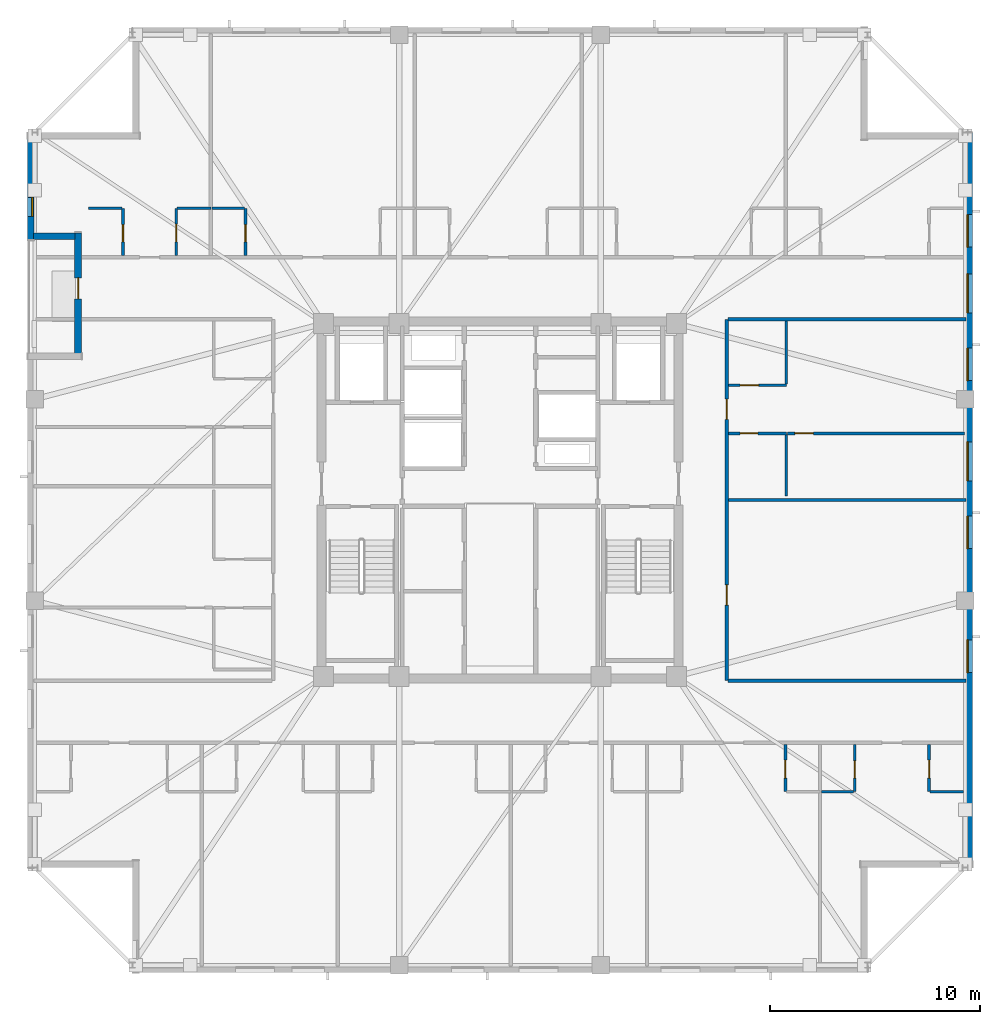
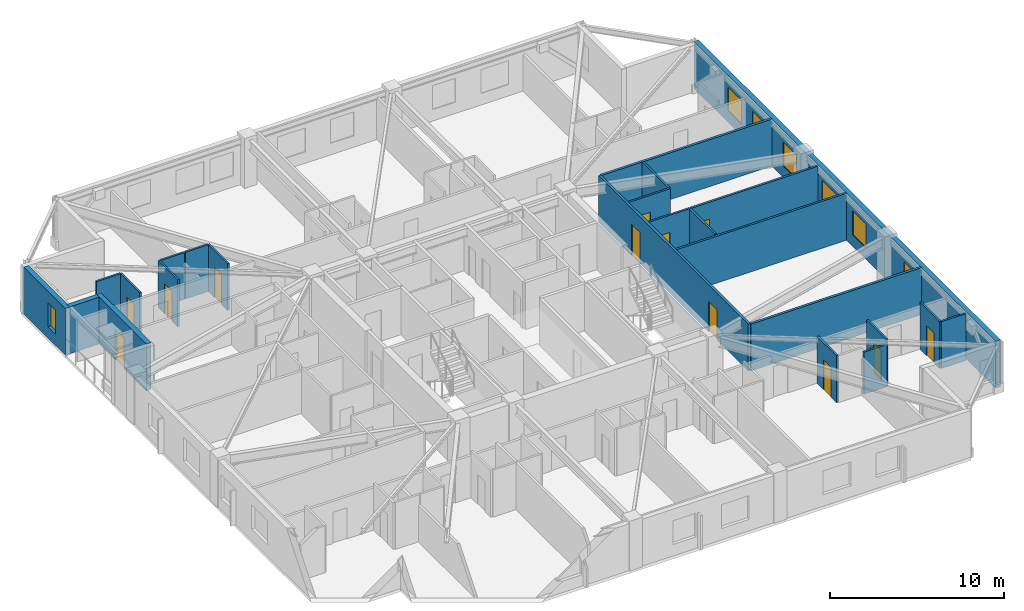
# One storey, part 10 of 17: 24 walls, 12 doors, 7 windows, 19 openings.
"""IFC4 building model written with IfcOpenShell, lengths in metres."""

from ifc_helpers import new_model, si_unit, direction, frame, frame_2d, origin, place, context, subcontext, project, spatial, rectangle, extrude, material, layer, layer_set, type_object, element, fill, save


model = new_model("IFC4")

# Units and contexts
model_context = context("Model", 3, precision=1e-05, world=origin(), true_north=direction((0.0, 1.0)))
body_context = subcontext(model_context, "Body", "Model", "MODEL_VIEW")
ifc_project = project(units=[si_unit("LENGTHUNIT", "METRE"), si_unit("AREAUNIT", "SQUARE_METRE"), si_unit("VOLUMEUNIT", "CUBIC_METRE"), si_unit("PLANEANGLEUNIT", "RADIAN"), si_unit("MASSUNIT", "GRAM", prefix="KILO")], contexts=[model_context])

# Site, building, storey
site_placement = place(None, origin())
site = spatial("IfcSite", under=ifc_project, at=site_placement, CompositionType="ELEMENT")
building_placement = place(site_placement, origin())
building = spatial("IfcBuilding", under=site, at=building_placement, Name="Cairnveth Concourse Tower", CompositionType="ELEMENT")
storey_placement = place(building_placement, frame((0.0, 0.0, 234.0)))
storey = spatial("IfcBuildingStorey", under=building, at=storey_placement, Name="L64", CompositionType="ELEMENT", Elevation=234.0)

# Wall, openings, doors
ifc_material_1 = material(Name="Gypsum Plasterboard Partition", Category="gypsum")
ifc_layer_1 = layer(ifc_material_1, 0.159912109375)
ifc_layer_set_1 = layer_set([ifc_layer_1], Name="Gypsum Plasterboard Partition")
wall_type_1 = type_object("IfcWallType", Name="ACOUSTIC PARTY WALL 180", PredefinedType="PARTITIONING", material=ifc_layer_set_1)
wall_1_placement = place(storey_placement, frame((62.800048828125, 30.39990234375, 0.0), z_axis=(0.0, 0.0, 1.0), x_axis=(0.0, 1.0, 0.0)))
wall_1 = element("IfcWall", 1, at=wall_1_placement, inside=storey, type_object=wall_type_1, Name="Interior Wall IW-L64-038", PredefinedType="PARTITIONING", context=body_context, shape_type="SweptSolid", body=[
    extrude(rectangle(XDim=17.2001953125, YDim=0.159912109375, at=frame_2d((8.60009765625, 0.0))), origin(), (0.0, 0.0, 1.0), 3.2900390625),
])
opening_1_placement = place(wall_1_placement, frame((3.60009765625, 0.0, 0.0)))
opening_1 = element("IfcOpeningElement", 2, at=opening_1_placement, cuts=wall_1, Name="Opening ID11", PredefinedType="OPENING", context=body_context, shape_type="SweptSolid", body=[
    extrude(rectangle(XDim=0.9599609375, YDim=2.1201171875, at=frame_2d((0.47998046875, 1.06005859375))), frame((0.0, 0.08984375, 0.0), z_axis=(0.0, -1.0, 0.0), x_axis=(1.0, 0.0, 0.0)), (0.0, 0.0, 1.0), 0.179931640625),
])
opening_2_placement = place(wall_1_placement, frame((12.43994140625, 0.0, 0.0)))
opening_2 = element("IfcOpeningElement", 3, at=opening_2_placement, cuts=wall_1, Name="Opening ID10", PredefinedType="OPENING", context=body_context, shape_type="SweptSolid", body=[
    extrude(rectangle(XDim=0.9599609375, YDim=2.179931640625, at=frame_2d((0.47998046875, 1.08984375))), frame((0.0, 0.08984375, 0.0), z_axis=(0.0, -1.0, 0.0), x_axis=(1.0, 0.0, 0.0)), (0.0, 0.0, 1.0), 0.179931640625),
])
ifc_material_2 = material(Name="Solid Core Hardwood Timber Leaf", Category="wood")
door_type_1 = type_object("IfcDoorType", Name="FLAT ENTRANCE DOOR 960X2150", OperationType="NOTDEFINED", PredefinedType="DOOR", material=ifc_material_2)
door_1_placement = place(opening_2_placement, origin())
door_1 = element("IfcDoor", 4, at=door_1_placement, inside=storey, type_object=door_type_1, Name="Apartment L64E1 Entrance Door", OperationType="SINGLE_SWING_LEFT", OverallHeight=2.179931640625, OverallWidth=0.9599609375, PredefinedType="DOOR", context=body_context, shape_type="SweptSolid", body=[
    extrude(rectangle(XDim=0.9599609375, YDim=2.179931640625, at=frame_2d((0.47998046875, 1.08984375))), frame((0.0, 0.02490234375, 0.0), z_axis=(0.0, -1.0, 0.0), x_axis=(1.0, 0.0, 0.0)), (0.0, 0.0, 1.0), 0.050048828125),
])
fill(opening_2, door_1)
door_type_2 = type_object("IfcDoorType", Name="INTERIOR SINGLE DOOR 960X2150", OperationType="NOTDEFINED", PredefinedType="DOOR", material=ifc_material_2)
door_2_placement = place(opening_1_placement, origin())
door_2 = element("IfcDoor", 5, at=door_2_placement, inside=storey, type_object=door_type_2, Name="Interior Door DR-L64-057", OperationType="SINGLE_SWING_LEFT", OverallHeight=2.1201171875, OverallWidth=0.9599609375, PredefinedType="DOOR", context=body_context, shape_type="SweptSolid", body=[
    extrude(rectangle(XDim=0.9599609375, YDim=2.1201171875, at=frame_2d((0.47998046875, 1.06005859375))), frame((0.0, 0.02490234375, 0.0), z_axis=(0.0, -1.0, 0.0), x_axis=(1.0, 0.0, 0.0)), (0.0, 0.0, 1.0), 0.050048828125),
])
fill(opening_1, door_2)

# Walls
for number, where, z_axis, x_axis, name in (
    (6, (62.864990234375, 30.39990234375, 0.0), (0.0, 0.0, 1.0), (1.0, 0.0, 0.0), "Interior Wall IW-L64-041"),
    (7, (62.864990234375, 47.60009765625, 0.0), (0.0, 0.0, 1.0), (1.0, 0.0, 0.0), "Interior Wall IW-L64-042"),
):
    element("IfcWall", number, at=place(storey_placement, frame(where, z_axis=z_axis, x_axis=x_axis)), inside=storey, type_object=wall_type_1, Name=name, PredefinedType="PARTITIONING", context=body_context, shape_type="SweptSolid", body=[
        extrude(rectangle(XDim=11.330078125, YDim=0.159912109375, at=frame_2d((5.6650390625, 0.0))), origin(), (0.0, 0.0, 1.0), 3.2900390625),
    ])
ifc_layer_2 = layer(ifc_material_1, 0.139892578125)
ifc_layer_set_2 = layer_set([ifc_layer_2], Name="Gypsum Plasterboard Partition")
wall_type_2 = type_object("IfcWallType", Name="GYPSUM STUD PARTITION 140", PredefinedType="PARTITIONING", material=ifc_layer_set_2)
wall_2_placement = place(storey_placement, frame((62.8798828125, 39.0, 0.0), z_axis=(0.0, 0.0, 1.0), x_axis=(1.0, 0.0, 0.0)))
element("IfcWall", 8, at=wall_2_placement, inside=storey, type_object=wall_type_2, Name="Interior Wall IW-L64-108", PredefinedType="PARTITIONING", context=body_context, shape_type="SweptSolid", body=[
    extrude(rectangle(XDim=11.315185546875, YDim=0.139892578125, at=frame_2d((5.65771484375, 0.0))), origin(), (0.0, 0.0, 1.0), 3.2900390625),
])

# Wall, opening, door
wall_3_placement = place(storey_placement, frame((65.679931640625, 42.169921875, 0.0), z_axis=(0.0, 0.0, 1.0), x_axis=(1.0, 0.0, 0.0)))
wall_3 = element("IfcWall", 9, at=wall_3_placement, inside=storey, type_object=wall_type_2, Name="Interior Wall IW-L64-113", PredefinedType="PARTITIONING", context=body_context, shape_type="SweptSolid", body=[
    extrude(rectangle(XDim=8.440185546875, YDim=0.139892578125, at=frame_2d((4.22021484375, 0.0))), origin(), (0.0, 0.0, 1.0), 3.2900390625),
])
opening_3_placement = place(wall_3_placement, frame((0.360107421875, 0.0, 0.0)))
opening_3 = element("IfcOpeningElement", 10, at=opening_3_placement, cuts=wall_3, Name="Opening ID18", PredefinedType="OPENING", context=body_context, shape_type="SweptSolid", body=[
    extrude(rectangle(XDim=0.8798828125, YDim=2.10009765625, at=frame_2d((0.43994140625, 1.050048828125))), frame((0.0, 0.079833984375, 0.0), z_axis=(0.0, -1.0, 0.0), x_axis=(1.0, 0.0, 0.0)), (0.0, 0.0, 1.0), 0.159912109375),
])
door_type_3 = type_object("IfcDoorType", Name="INTERIOR SINGLE DOOR 880X2100", OperationType="NOTDEFINED", PredefinedType="DOOR", material=ifc_material_2)
door_3_placement = place(opening_3_placement, origin())
door_3 = element("IfcDoor", 11, at=door_3_placement, inside=storey, type_object=door_type_3, Name="L64E1 Master Bedroom Door", OperationType="SINGLE_SWING_RIGHT", OverallHeight=2.10009765625, OverallWidth=0.8798828125, PredefinedType="DOOR", context=body_context, shape_type="SweptSolid", body=[
    extrude(rectangle(XDim=0.8798828125, YDim=2.10009765625, at=frame_2d((0.43994140625, 1.050048828125))), frame((0.0, 0.02490234375, 0.0), z_axis=(0.0, -1.0, 0.0), x_axis=(1.0, 0.0, 0.0)), (0.0, 0.0, 1.0), 0.050048828125),
])
fill(opening_3, door_3)

ifc_layer_3 = layer(ifc_material_1, 0.1298828125)
ifc_layer_set_3 = layer_set([ifc_layer_3], Name="Gypsum Plasterboard Partition")
wall_type_3 = type_object("IfcWallType", Name="WET AREA PARTITION 140", PredefinedType="PLUMBINGWALL", material=ifc_layer_set_3)
wall_4_placement = place(storey_placement, frame((65.590087890625, 25.112548828125, 0.0), z_axis=(0.0, 0.0, 1.0), x_axis=(0.0, 1.0, 0.0)))
wall_4 = element("IfcWall", 12, at=wall_4_placement, inside=storey, type_object=wall_type_3, Name="Interior Wall IW-L64-065", PredefinedType="PLUMBINGWALL", context=body_context, shape_type="SweptSolid", body=[
    extrude(rectangle(XDim=2.25, YDim=0.1298828125, at=frame_2d((1.125, 0.0))), origin(), (0.0, 0.0, 1.0), 3.2900390625),
])
opening_4_placement = place(wall_4_placement, frame((0.64990234375, 0.0, 0.0)))
opening_4 = element("IfcOpeningElement", 13, at=opening_4_placement, cuts=wall_4, Name="Opening ID20", PredefinedType="OPENING", context=body_context, shape_type="SweptSolid", body=[
    extrude(rectangle(XDim=0.85009765625, YDim=2.10009765625, at=frame_2d((0.425048828125, 1.050048828125))), frame((0.0, 0.074951171875, 0.0), z_axis=(0.0, -1.0, 0.0), x_axis=(1.0, 0.0, 0.0)), (0.0, 0.0, 1.0), 0.14990234375),
])
door_type_4 = type_object("IfcDoorType", Name="INTERIOR SINGLE DOOR 850X2100", OperationType="NOTDEFINED", PredefinedType="DOOR", material=ifc_material_2)
door_4_placement = place(opening_4_placement, origin())
door_4 = element("IfcDoor", 14, at=door_4_placement, inside=storey, type_object=door_type_4, Name="L64STS5 Kitchen Door", OperationType="SINGLE_SWING_LEFT", OverallHeight=2.10009765625, OverallWidth=0.85009765625, PredefinedType="DOOR", context=body_context, shape_type="SweptSolid", body=[
    extrude(rectangle(XDim=0.85009765625, YDim=2.10009765625, at=frame_2d((0.425048828125, 1.050048828125))), frame((0.0, 0.02490234375, 0.0), z_axis=(0.0, -1.0, 0.0), x_axis=(1.0, 0.0, 0.0)), (0.0, 0.0, 1.0), 0.050048828125),
])
fill(opening_4, door_4)

wall_5_placement = place(storey_placement, frame((68.889892578125, 25.112548828125, 0.0), z_axis=(0.0, 0.0, 1.0), x_axis=(0.0, 1.0, 0.0)))
wall_5 = element("IfcWall", 15, at=wall_5_placement, inside=storey, type_object=wall_type_3, Name="Interior Wall IW-L64-068", PredefinedType="PLUMBINGWALL", context=body_context, shape_type="SweptSolid", body=[
    extrude(rectangle(XDim=2.25, YDim=0.1298828125, at=frame_2d((1.125, 0.0))), origin(), (0.0, 0.0, 1.0), 3.2900390625),
])
opening_5_placement = place(wall_5_placement, frame((0.64990234375, 0.0, 0.0)))
opening_5 = element("IfcOpeningElement", 16, at=opening_5_placement, cuts=wall_5, Name="Opening ID22", PredefinedType="OPENING", context=body_context, shape_type="SweptSolid", body=[
    extrude(rectangle(XDim=0.820068359375, YDim=2.10009765625, at=frame_2d((0.41015625, 1.050048828125))), frame((0.0, 0.074951171875, 0.0), z_axis=(0.0, -1.0, 0.0), x_axis=(1.0, 0.0, 0.0)), (0.0, 0.0, 1.0), 0.14990234375),
])
door_type_5 = type_object("IfcDoorType", Name="INTERIOR WC DOOR 820X2100", OperationType="NOTDEFINED", PredefinedType="DOOR", material=ifc_material_2)
door_5_placement = place(opening_5_placement, origin())
door_5 = element("IfcDoor", 17, at=door_5_placement, inside=storey, type_object=door_type_5, Name="L64STS6 Bathroom Door", OperationType="SINGLE_SWING_LEFT", OverallHeight=2.10009765625, OverallWidth=0.820068359375, PredefinedType="DOOR", context=body_context, shape_type="SweptSolid", body=[
    extrude(rectangle(XDim=0.820068359375, YDim=2.10009765625, at=frame_2d((0.41015625, 1.050048828125))), frame((0.0, 0.02490234375, 0.0), z_axis=(0.0, -1.0, 0.0), x_axis=(1.0, 0.0, 0.0)), (0.0, 0.0, 1.0), 0.050048828125),
])
fill(opening_5, door_5)

# Wall
wall_6_placement = place(storey_placement, frame((67.304931640625, 25.112548828125, 0.0), z_axis=(0.0, 0.0, 1.0), x_axis=(1.0, 0.0, 0.0)))
element("IfcWall", 18, at=wall_6_placement, inside=storey, type_object=wall_type_3, Name="Interior Wall IW-L64-069", PredefinedType="PLUMBINGWALL", context=body_context, shape_type="SweptSolid", body=[
    extrude(rectangle(XDim=1.53515625, YDim=0.1298828125, at=frame_2d((0.767578125, 0.0))), origin(), (0.0, 0.0, 1.0), 2.9580078125),
])

# Wall, opening, door
wall_7_placement = place(storey_placement, frame((72.429931640625, 25.112548828125, 0.0), z_axis=(0.0, 0.0, 1.0), x_axis=(0.0, 1.0, 0.0)))
wall_7 = element("IfcWall", 19, at=wall_7_placement, inside=storey, type_object=wall_type_3, Name="Interior Wall IW-L64-070", PredefinedType="PLUMBINGWALL", context=body_context, shape_type="SweptSolid", body=[
    extrude(rectangle(XDim=2.25, YDim=0.1298828125, at=frame_2d((1.125, 0.0))), origin(), (0.0, 0.0, 1.0), 3.2900390625),
])
opening_6_placement = place(wall_7_placement, frame((0.64990234375, 0.0, 0.0)))
opening_6 = element("IfcOpeningElement", 20, at=opening_6_placement, cuts=wall_7, Name="Opening ID20", PredefinedType="OPENING", context=body_context, shape_type="SweptSolid", body=[
    extrude(rectangle(XDim=0.85009765625, YDim=2.10009765625, at=frame_2d((0.425048828125, 1.050048828125))), frame((0.0, 0.074951171875, 0.0), z_axis=(0.0, -1.0, 0.0), x_axis=(1.0, 0.0, 0.0)), (0.0, 0.0, 1.0), 0.14990234375),
])
door_6_placement = place(opening_6_placement, origin())
door_6 = element("IfcDoor", 21, at=door_6_placement, inside=storey, type_object=door_type_4, Name="L64STS6 Kitchen Door", OperationType="SINGLE_SWING_RIGHT", OverallHeight=2.10009765625, OverallWidth=0.85009765625, PredefinedType="DOOR", context=body_context, shape_type="SweptSolid", body=[
    extrude(rectangle(XDim=0.85009765625, YDim=2.10009765625, at=frame_2d((0.425048828125, 1.050048828125))), frame((0.0, 0.02490234375, 0.0), z_axis=(0.0, -1.0, 0.0), x_axis=(1.0, 0.0, 0.0)), (0.0, 0.0, 1.0), 0.050048828125),
])
fill(opening_6, door_6)

# Wall
wall_8_placement = place(storey_placement, frame((72.47998046875, 25.112548828125, 0.0), z_axis=(0.0, 0.0, 1.0), x_axis=(1.0, 0.0, 0.0)))
element("IfcWall", 22, at=wall_8_placement, inside=storey, type_object=wall_type_3, Name="Interior Wall IW-L64-071", PredefinedType="PLUMBINGWALL", context=body_context, shape_type="SweptSolid", body=[
    extrude(rectangle(XDim=1.60009765625, YDim=0.1298828125, at=frame_2d((0.800048828125, 0.0))), origin(), (0.0, 0.0, 1.0), 3.2900390625),
])

# Wall, opening, door
wall_9_placement = place(storey_placement, frame((34.050048828125, 50.637451171875, 0.0), z_axis=(0.0, 0.0, 1.0), x_axis=(0.0, 1.0, 0.0)))
wall_9 = element("IfcWall", 23, at=wall_9_placement, inside=storey, type_object=wall_type_3, Name="Interior Wall IW-L64-072", PredefinedType="PLUMBINGWALL", context=body_context, shape_type="SweptSolid", body=[
    extrude(rectangle(XDim=2.25, YDim=0.1298828125, at=frame_2d((1.125, 0.0))), origin(), (0.0, 0.0, 1.0), 3.2900390625),
])
opening_7_placement = place(wall_9_placement, frame((0.64990234375, 0.0, 0.0)))
opening_7 = element("IfcOpeningElement", 24, at=opening_7_placement, cuts=wall_9, Name="Opening ID22", PredefinedType="OPENING", context=body_context, shape_type="SweptSolid", body=[
    extrude(rectangle(XDim=0.820068359375, YDim=2.10009765625, at=frame_2d((0.41015625, 1.050048828125))), frame((0.0, 0.074951171875, 0.0), z_axis=(0.0, -1.0, 0.0), x_axis=(1.0, 0.0, 0.0)), (0.0, 0.0, 1.0), 0.14990234375),
])
door_7_placement = place(opening_7_placement, origin())
door_7 = element("IfcDoor", 25, at=door_7_placement, inside=storey, type_object=door_type_5, Name="L64STN1 Bathroom Door", OperationType="SINGLE_SWING_RIGHT", OverallHeight=2.10009765625, OverallWidth=0.820068359375, PredefinedType="DOOR", context=body_context, shape_type="SweptSolid", body=[
    extrude(rectangle(XDim=0.820068359375, YDim=2.10009765625, at=frame_2d((0.41015625, 1.050048828125))), frame((0.0, 0.02490234375, 0.0), z_axis=(0.0, -1.0, 0.0), x_axis=(1.0, 0.0, 0.0)), (0.0, 0.0, 1.0), 0.050048828125),
])
fill(opening_7, door_7)

# Wall
wall_10_placement = place(storey_placement, frame((32.39990234375, 52.887451171875, 0.0), z_axis=(0.0, 0.0, 1.0), x_axis=(1.0, 0.0, 0.0)))
element("IfcWall", 26, at=wall_10_placement, inside=storey, type_object=wall_type_3, Name="Interior Wall IW-L64-073", PredefinedType="PLUMBINGWALL", context=body_context, shape_type="SweptSolid", body=[
    extrude(rectangle(XDim=1.60009765625, YDim=0.1298828125, at=frame_2d((0.800048828125, 0.0))), origin(), (0.0, 0.0, 1.0), 3.2900390625),
])

# Wall, opening, door
wall_11_placement = place(storey_placement, frame((36.58203125, 50.637451171875, 0.0), z_axis=(0.0, 0.0, 1.0), x_axis=(0.0, 1.0, 0.0)))
wall_11 = element("IfcWall", 27, at=wall_11_placement, inside=storey, type_object=wall_type_3, Name="Interior Wall IW-L64-074", PredefinedType="PLUMBINGWALL", context=body_context, shape_type="SweptSolid", body=[
    extrude(rectangle(XDim=2.25, YDim=0.1298828125, at=frame_2d((1.125, 0.0))), origin(), (0.0, 0.0, 1.0), 3.2900390625),
])
opening_8_placement = place(wall_11_placement, frame((0.64990234375, 0.0, 0.0)))
opening_8 = element("IfcOpeningElement", 28, at=opening_8_placement, cuts=wall_11, Name="Opening ID20", PredefinedType="OPENING", context=body_context, shape_type="SweptSolid", body=[
    extrude(rectangle(XDim=0.85009765625, YDim=2.10009765625, at=frame_2d((0.425048828125, 1.050048828125))), frame((0.0, 0.074951171875, 0.0), z_axis=(0.0, -1.0, 0.0), x_axis=(1.0, 0.0, 0.0)), (0.0, 0.0, 1.0), 0.14990234375),
])
door_8_placement = place(opening_8_placement, origin())
door_8 = element("IfcDoor", 29, at=door_8_placement, inside=storey, type_object=door_type_4, Name="L64STN1 Kitchen Door", OperationType="SINGLE_SWING_LEFT", OverallHeight=2.10009765625, OverallWidth=0.85009765625, PredefinedType="DOOR", context=body_context, shape_type="SweptSolid", body=[
    extrude(rectangle(XDim=0.85009765625, YDim=2.10009765625, at=frame_2d((0.425048828125, 1.050048828125))), frame((0.0, 0.02490234375, 0.0), z_axis=(0.0, -1.0, 0.0), x_axis=(1.0, 0.0, 0.0)), (0.0, 0.0, 1.0), 0.050048828125),
])
fill(opening_8, door_8)

# Wall
wall_12_placement = place(storey_placement, frame((36.632080078125, 52.887451171875, 0.0), z_axis=(0.0, 0.0, 1.0), x_axis=(1.0, 0.0, 0.0)))
element("IfcWall", 30, at=wall_12_placement, inside=storey, type_object=wall_type_3, Name="Interior Wall IW-L64-075", PredefinedType="PLUMBINGWALL", context=body_context, shape_type="SweptSolid", body=[
    extrude(rectangle(XDim=1.599853515625, YDim=0.1298828125, at=frame_2d((0.7998046875, 0.0))), origin(), (0.0, 0.0, 1.0), 3.2900390625),
])

# Wall, opening, door
wall_13_placement = place(storey_placement, frame((39.882080078125, 50.637451171875, 0.0), z_axis=(0.0, 0.0, 1.0), x_axis=(0.0, 1.0, 0.0)))
wall_13 = element("IfcWall", 31, at=wall_13_placement, inside=storey, type_object=wall_type_3, Name="Interior Wall IW-L64-077", PredefinedType="PLUMBINGWALL", context=body_context, shape_type="SweptSolid", body=[
    extrude(rectangle(XDim=2.25, YDim=0.1298828125, at=frame_2d((1.125, 0.0))), origin(), (0.0, 0.0, 1.0), 3.2900390625),
])
opening_9_placement = place(wall_13_placement, frame((0.64990234375, 0.0, 0.0)))
opening_9 = element("IfcOpeningElement", 32, at=opening_9_placement, cuts=wall_13, Name="Opening ID22", PredefinedType="OPENING", context=body_context, shape_type="SweptSolid", body=[
    extrude(rectangle(XDim=0.820068359375, YDim=2.10009765625, at=frame_2d((0.41015625, 1.050048828125))), frame((0.0, 0.074951171875, 0.0), z_axis=(0.0, -1.0, 0.0), x_axis=(1.0, 0.0, 0.0)), (0.0, 0.0, 1.0), 0.14990234375),
])
door_9_placement = place(opening_9_placement, origin())
door_9 = element("IfcDoor", 33, at=door_9_placement, inside=storey, type_object=door_type_5, Name="L64STN2 Bathroom Door", OperationType="SINGLE_SWING_LEFT", OverallHeight=2.10009765625, OverallWidth=0.820068359375, PredefinedType="DOOR", context=body_context, shape_type="SweptSolid", body=[
    extrude(rectangle(XDim=0.820068359375, YDim=2.10009765625, at=frame_2d((0.41015625, 1.050048828125))), frame((0.0, 0.02490234375, 0.0), z_axis=(0.0, -1.0, 0.0), x_axis=(1.0, 0.0, 0.0)), (0.0, 0.0, 1.0), 0.050048828125),
])
fill(opening_9, door_9)

# Wall
wall_14_placement = place(storey_placement, frame((38.297119140625, 52.887451171875, 0.0), z_axis=(0.0, 0.0, 1.0), x_axis=(1.0, 0.0, 0.0)))
element("IfcWall", 34, at=wall_14_placement, inside=storey, type_object=wall_type_3, Name="Interior Wall IW-L64-078", PredefinedType="PLUMBINGWALL", context=body_context, shape_type="SweptSolid", body=[
    extrude(rectangle(XDim=1.534912109375, YDim=0.1298828125, at=frame_2d((0.767578125, 0.0))), origin(), (0.0, 0.0, 1.0), 3.2900390625),
])

# Wall, opening, door
wall_15_placement = place(storey_placement, frame((62.8798828125, 42.169921875, 0.0), z_axis=(0.0, 0.0, 1.0), x_axis=(1.0, 0.0, 0.0)))
wall_15 = element("IfcWall", 35, at=wall_15_placement, inside=storey, type_object=wall_type_3, Name="Interior Wall IW-L64-109", PredefinedType="PLUMBINGWALL", context=body_context, shape_type="SweptSolid", body=[
    extrude(rectangle(XDim=2.75, YDim=0.1298828125, at=frame_2d((1.375, 0.0))), origin(), (0.0, 0.0, 1.0), 3.2900390625),
])
opening_10_placement = place(wall_15_placement, frame((0.550048828125, 0.0, 0.0)))
opening_10 = element("IfcOpeningElement", 36, at=opening_10_placement, cuts=wall_15, Name="Opening ID21", PredefinedType="OPENING", context=body_context, shape_type="SweptSolid", body=[
    extrude(rectangle(XDim=0.85009765625, YDim=2.080078125, at=frame_2d((0.425048828125, 1.0400390625))), frame((0.0, 0.074951171875, 0.0), z_axis=(0.0, -1.0, 0.0), x_axis=(1.0, 0.0, 0.0)), (0.0, 0.0, 1.0), 0.14990234375),
])
door_type_6 = type_object("IfcDoorType", Name="INTERIOR WC DOOR 850X2100", OperationType="NOTDEFINED", PredefinedType="DOOR", material=ifc_material_2)
door_10_placement = place(opening_10_placement, origin())
door_10 = element("IfcDoor", 37, at=door_10_placement, inside=storey, type_object=door_type_6, Name="L64E1 Bathroom Door", OperationType="SINGLE_SWING_RIGHT", OverallHeight=2.080078125, OverallWidth=0.85009765625, PredefinedType="DOOR", context=body_context, shape_type="SweptSolid", body=[
    extrude(rectangle(XDim=0.85009765625, YDim=2.080078125, at=frame_2d((0.425048828125, 1.0400390625))), frame((0.0, 0.02490234375, 0.0), z_axis=(0.0, -1.0, 0.0), x_axis=(1.0, 0.0, 0.0)), (0.0, 0.0, 1.0), 0.050048828125),
])
fill(opening_10, door_10)

# Wall
wall_16_placement = place(storey_placement, frame((65.6298828125, 39.179931640625, 0.0), z_axis=(0.0, 0.0, 1.0), x_axis=(0.0, 1.0, 0.0)))
element("IfcWall", 38, at=wall_16_placement, inside=storey, type_object=wall_type_3, Name="Interior Wall IW-L64-110", PredefinedType="PLUMBINGWALL", context=body_context, shape_type="SweptSolid", body=[
    extrude(rectangle(XDim=2.940185546875, YDim=0.1298828125, at=frame_2d((1.47021484375, 0.0))), origin(), (0.0, 0.0, 1.0), 3.2900390625),
])

# Wall, opening, door
wall_17_placement = place(storey_placement, frame((62.8798828125, 44.469970703125, 0.0), z_axis=(0.0, 0.0, 1.0), x_axis=(1.0, 0.0, 0.0)))
wall_17 = element("IfcWall", 39, at=wall_17_placement, inside=storey, type_object=wall_type_3, Name="Interior Wall IW-L64-111", PredefinedType="PLUMBINGWALL", context=body_context, shape_type="SweptSolid", body=[
    extrude(rectangle(XDim=2.75, YDim=0.1298828125, at=frame_2d((1.375, 0.0))), origin(), (0.0, 0.0, 1.0), 3.2900390625),
])
opening_11_placement = place(wall_17_placement, frame((0.550048828125, 0.0, 0.0)))
opening_11 = element("IfcOpeningElement", 40, at=opening_11_placement, cuts=wall_17, Name="Opening ID18", PredefinedType="OPENING", context=body_context, shape_type="SweptSolid", body=[
    extrude(rectangle(XDim=0.8798828125, YDim=2.10009765625, at=frame_2d((0.43994140625, 1.050048828125))), frame((0.0, 0.074951171875, 0.0), z_axis=(0.0, -1.0, 0.0), x_axis=(1.0, 0.0, 0.0)), (0.0, 0.0, 1.0), 0.14990234375),
])
door_11_placement = place(opening_11_placement, origin())
door_11 = element("IfcDoor", 41, at=door_11_placement, inside=storey, type_object=door_type_3, Name="L64E1 Kitchen Door", OperationType="SINGLE_SWING_LEFT", OverallHeight=2.10009765625, OverallWidth=0.8798828125, PredefinedType="DOOR", context=body_context, shape_type="SweptSolid", body=[
    extrude(rectangle(XDim=0.8798828125, YDim=2.10009765625, at=frame_2d((0.43994140625, 1.050048828125))), frame((0.0, 0.02490234375, 0.0), z_axis=(0.0, -1.0, 0.0), x_axis=(1.0, 0.0, 0.0)), (0.0, 0.0, 1.0), 0.050048828125),
])
fill(opening_11, door_11)

# Wall
wall_18_placement = place(storey_placement, frame((65.6298828125, 44.52001953125, 0.0), z_axis=(0.0, 0.0, 1.0), x_axis=(0.0, 1.0, 0.0)))
element("IfcWall", 42, at=wall_18_placement, inside=storey, type_object=wall_type_3, Name="Interior Wall IW-L64-112", PredefinedType="PLUMBINGWALL", context=body_context, shape_type="SweptSolid", body=[
    extrude(rectangle(XDim=3.014892578125, YDim=0.1298828125, at=frame_2d((1.50732421875, 0.0))), origin(), (0.0, 0.0, 1.0), 3.2900390625),
])

# Wall, opening, window
ifc_material_3 = material(Name="Melbourne Buff Fired Clay Brick Masonry", Category="masonry")
ifc_layer_4 = layer(ifc_material_3, 0.320068359375)
ifc_layer_set_4 = layer_set([ifc_layer_4], Name="Melbourne Buff Fired Clay Brick Masonry")
wall_type_4 = type_object("IfcWallType", Name="ZONE 3 BRICK PIER SPANDREL WALL 320", PredefinedType="SOLIDWALL", material=ifc_layer_set_4)
wall_19_placement = place(storey_placement, frame((29.659912109375, 51.39990234375, 0.0), z_axis=(0.0, 0.0, 1.0), x_axis=(0.0, 1.0, 0.0)))
wall_19 = element("IfcWall", 43, at=wall_19_placement, inside=storey, type_object=wall_type_4, Name="Exterior Wall EW-L64-S00", PredefinedType="SOLIDWALL", context=body_context, shape_type="SweptSolid", body=[
    extrude(rectangle(XDim=4.802001953125, YDim=0.320068359375, at=frame_2d((2.40087890625, 0.0))), origin(), (0.0, 0.0, 1.0), 3.2900390625),
])
opening_12_placement = place(wall_19_placement, frame((1.110107421875, 0.0, 0.800048828125)))
opening_12 = element("IfcOpeningElement", 44, at=opening_12_placement, cuts=wall_19, Name="Opening W13", PredefinedType="OPENING", context=body_context, shape_type="SweptSolid", body=[
    extrude(rectangle(XDim=0.89990234375, YDim=1.677978515625, at=frame_2d((0.449951171875, 0.8388671875))), frame((0.0, 0.169921875, 0.0), z_axis=(0.0, -1.0, 0.0), x_axis=(1.0, 0.0, 0.0)), (0.0, 0.0, 1.0), 0.340087890625),
])
ifc_material_4 = material(Name="Double Glazed Low-E Clear Glass", Category="glass")
window_type_1 = type_object("IfcWindowType", Name="DEEP-SET BEDROOM LANCET WINDOW 900X1750", PartitioningType="DOUBLE_PANEL_VERTICAL", PredefinedType="WINDOW", material=ifc_material_4)
window_1_placement = place(opening_12_placement, origin())
window_1 = element("IfcWindow", 45, at=window_1_placement, inside=storey, type_object=window_type_1, Name="Dwelling Lancet Window L64-DW3", OverallHeight=1.677978515625, OverallWidth=0.89990234375, PartitioningType="SINGLE_PANEL", PredefinedType="WINDOW", context=body_context, shape_type="SweptSolid", body=[
    extrude(rectangle(XDim=0.89990234375, YDim=1.677978515625, at=frame_2d((0.449951171875, 0.8388671875))), frame((0.0, -0.0400390625, 0.0), z_axis=(0.0, -1.0, 0.0), x_axis=(1.0, 0.0, 0.0)), (0.0, 0.0, 1.0), 0.06005859375),
])
fill(opening_12, window_1)

# Wall, openings, windows
wall_20_placement = place(storey_placement, frame((74.340087890625, 56.5, 0.0), z_axis=(0.0, 0.0, 1.0), x_axis=(0.0, -1.0, 0.0)))
wall_20 = element("IfcWall", 46, at=wall_20_placement, inside=storey, type_object=wall_type_4, Name="Exterior Wall EW-L64-S06", PredefinedType="SOLIDWALL", context=body_context, shape_type="SweptSolid", body=[
    extrude(rectangle(XDim=34.701904296875, YDim=0.320068359375, at=frame_2d((17.35107421875, 0.0))), origin(), (0.0, 0.0, 1.0), 3.2900390625),
])
opening_13_placement = place(wall_20_placement, frame((3.91259765625, 0.0, 0.800048828125)))
opening_13 = element("IfcOpeningElement", 47, at=opening_13_placement, cuts=wall_20, Name="Opening W07", PredefinedType="OPENING", context=body_context, shape_type="SweptSolid", body=[
    extrude(rectangle(XDim=1.550048828125, YDim=1.677978515625, at=frame_2d((0.77490234375, 0.8388671875))), frame((0.0, 0.169921875, 0.0), z_axis=(0.0, -1.0, 0.0), x_axis=(1.0, 0.0, 0.0)), (0.0, 0.0, 1.0), 0.340087890625),
])
opening_14_placement = place(wall_20_placement, frame((6.73779296875, 0.0, 0.800048828125)))
opening_14 = element("IfcOpeningElement", 48, at=opening_14_placement, cuts=wall_20, Name="Opening W08", PredefinedType="OPENING", context=body_context, shape_type="SweptSolid", body=[
    extrude(rectangle(XDim=1.85009765625, YDim=1.677978515625, at=frame_2d((0.925048828125, 0.8388671875))), frame((0.0, 0.169921875, 0.0), z_axis=(0.0, -1.0, 0.0), x_axis=(1.0, 0.0, 0.0)), (0.0, 0.0, 1.0), 0.340087890625),
])
opening_15_placement = place(wall_20_placement, frame((10.26318359375, 0.0, 0.800048828125)))
opening_15 = element("IfcOpeningElement", 49, at=opening_15_placement, cuts=wall_20, Name="Opening W07", PredefinedType="OPENING", context=body_context, shape_type="SweptSolid", body=[
    extrude(rectangle(XDim=1.550048828125, YDim=1.677978515625, at=frame_2d((0.77490234375, 0.8388671875))), frame((0.0, 0.169921875, 0.0), z_axis=(0.0, -1.0, 0.0), x_axis=(1.0, 0.0, 0.0)), (0.0, 0.0, 1.0), 0.340087890625),
])
opening_16_placement = place(wall_20_placement, frame((14.73828125, 0.0, 0.800048828125)))
opening_16 = element("IfcOpeningElement", 50, at=opening_16_placement, cuts=wall_20, Name="Opening W08", PredefinedType="OPENING", context=body_context, shape_type="SweptSolid", body=[
    extrude(rectangle(XDim=1.85009765625, YDim=1.677978515625, at=frame_2d((0.925048828125, 0.8388671875))), frame((0.0, 0.169921875, 0.0), z_axis=(0.0, -1.0, 0.0), x_axis=(1.0, 0.0, 0.0)), (0.0, 0.0, 1.0), 0.340087890625),
])
opening_17_placement = place(wall_20_placement, frame((18.263671875, 0.0, 0.800048828125)))
opening_17 = element("IfcOpeningElement", 51, at=opening_17_placement, cuts=wall_20, Name="Opening W07", PredefinedType="OPENING", context=body_context, shape_type="SweptSolid", body=[
    extrude(rectangle(XDim=1.550048828125, YDim=1.677978515625, at=frame_2d((0.77490234375, 0.8388671875))), frame((0.0, 0.169921875, 0.0), z_axis=(0.0, -1.0, 0.0), x_axis=(1.0, 0.0, 0.0)), (0.0, 0.0, 1.0), 0.340087890625),
])
opening_18_placement = place(wall_20_placement, frame((24.1640625, 0.0, 0.800048828125)))
opening_18 = element("IfcOpeningElement", 52, at=opening_18_placement, cuts=wall_20, Name="Opening W07", PredefinedType="OPENING", context=body_context, shape_type="SweptSolid", body=[
    extrude(rectangle(XDim=1.550048828125, YDim=1.677978515625, at=frame_2d((0.77490234375, 0.8388671875))), frame((0.0, 0.169921875, 0.0), z_axis=(0.0, -1.0, 0.0), x_axis=(1.0, 0.0, 0.0)), (0.0, 0.0, 1.0), 0.340087890625),
])
window_type_2 = type_object("IfcWindowType", Name="DEEP-SET APARTMENT LIVING WINDOW 1850X1850", PartitioningType="DOUBLE_PANEL_VERTICAL", PredefinedType="WINDOW", material=ifc_material_4)
window_2_placement = place(opening_14_placement, origin())
window_2 = element("IfcWindow", 53, at=window_2_placement, inside=storey, type_object=window_type_2, Name="Gothic Lancet Window L64-6-2", OverallHeight=1.677978515625, OverallWidth=1.85009765625, PartitioningType="SINGLE_PANEL", PredefinedType="WINDOW", context=body_context, shape_type="SweptSolid", body=[
    extrude(rectangle(XDim=1.85009765625, YDim=1.677978515625, at=frame_2d((0.925048828125, 0.8388671875))), frame((0.0, -0.050048828125, 0.0), z_axis=(0.0, -1.0, 0.0), x_axis=(1.0, 0.0, 0.0)), (0.0, 0.0, 1.0), 0.06005859375),
])
fill(opening_14, window_2)
window_3_placement = place(opening_16_placement, origin())
window_3 = element("IfcWindow", 54, at=window_3_placement, inside=storey, type_object=window_type_2, Name="Gothic Lancet Window L64-6-4", OverallHeight=1.677978515625, OverallWidth=1.85009765625, PartitioningType="SINGLE_PANEL", PredefinedType="WINDOW", context=body_context, shape_type="SweptSolid", body=[
    extrude(rectangle(XDim=1.85009765625, YDim=1.677978515625, at=frame_2d((0.925048828125, 0.8388671875))), frame((0.0, -0.050048828125, 0.0), z_axis=(0.0, -1.0, 0.0), x_axis=(1.0, 0.0, 0.0)), (0.0, 0.0, 1.0), 0.06005859375),
])
fill(opening_16, window_3)
window_type_3 = type_object("IfcWindowType", Name="DEEP-SET APARTMENT WINDOW 1550X1800", PartitioningType="DOUBLE_PANEL_VERTICAL", PredefinedType="WINDOW", material=ifc_material_4)
window_4_placement = place(opening_13_placement, origin())
window_4 = element("IfcWindow", 55, at=window_4_placement, inside=storey, type_object=window_type_3, Name="Gothic Lancet Window L64-6-1", OverallHeight=1.677978515625, OverallWidth=1.550048828125, PartitioningType="SINGLE_PANEL", PredefinedType="WINDOW", context=body_context, shape_type="SweptSolid", body=[
    extrude(rectangle(XDim=1.550048828125, YDim=1.677978515625, at=frame_2d((0.77490234375, 0.8388671875))), frame((0.0, -0.050048828125, 0.0), z_axis=(0.0, -1.0, 0.0), x_axis=(1.0, 0.0, 0.0)), (0.0, 0.0, 1.0), 0.06005859375),
])
fill(opening_13, window_4)
window_5_placement = place(opening_15_placement, origin())
window_5 = element("IfcWindow", 56, at=window_5_placement, inside=storey, type_object=window_type_3, Name="Gothic Lancet Window L64-6-3", OverallHeight=1.677978515625, OverallWidth=1.550048828125, PartitioningType="SINGLE_PANEL", PredefinedType="WINDOW", context=body_context, shape_type="SweptSolid", body=[
    extrude(rectangle(XDim=1.550048828125, YDim=1.677978515625, at=frame_2d((0.77490234375, 0.8388671875))), frame((0.0, -0.050048828125, 0.0), z_axis=(0.0, -1.0, 0.0), x_axis=(1.0, 0.0, 0.0)), (0.0, 0.0, 1.0), 0.06005859375),
])
fill(opening_15, window_5)
window_6_placement = place(opening_17_placement, origin())
window_6 = element("IfcWindow", 57, at=window_6_placement, inside=storey, type_object=window_type_3, Name="Gothic Lancet Window L64-6-5", OverallHeight=1.677978515625, OverallWidth=1.550048828125, PartitioningType="SINGLE_PANEL", PredefinedType="WINDOW", context=body_context, shape_type="SweptSolid", body=[
    extrude(rectangle(XDim=1.550048828125, YDim=1.677978515625, at=frame_2d((0.77490234375, 0.8388671875))), frame((0.0, -0.050048828125, 0.0), z_axis=(0.0, -1.0, 0.0), x_axis=(1.0, 0.0, 0.0)), (0.0, 0.0, 1.0), 0.06005859375),
])
fill(opening_17, window_6)
window_7_placement = place(opening_18_placement, origin())
window_7 = element("IfcWindow", 58, at=window_7_placement, inside=storey, type_object=window_type_3, Name="Gothic Lancet Window L64-6-7", OverallHeight=1.677978515625, OverallWidth=1.550048828125, PartitioningType="SINGLE_PANEL", PredefinedType="WINDOW", context=body_context, shape_type="SweptSolid", body=[
    extrude(rectangle(XDim=1.550048828125, YDim=1.677978515625, at=frame_2d((0.77490234375, 0.8388671875))), frame((0.0, -0.050048828125, 0.0), z_axis=(0.0, -1.0, 0.0), x_axis=(1.0, 0.0, 0.0)), (0.0, 0.0, 1.0), 0.06005859375),
])
fill(opening_18, window_7)

# Wall, opening, door
wall_21_placement = place(storey_placement, frame((31.909912109375, 45.97802734375, 0.0), z_axis=(0.0, 0.0, 1.0), x_axis=(0.0, 1.0, 0.0)))
wall_21 = element("IfcWall", 59, at=wall_21_placement, inside=storey, type_object=wall_type_4, Name="Exterior Wall EW-L64-S14", PredefinedType="SOLIDWALL", context=body_context, shape_type="SweptSolid", body=[
    extrude(rectangle(XDim=5.741943359375, YDim=0.320068359375, at=frame_2d((2.87109375, 0.0))), origin(), (0.0, 0.0, 1.0), 3.2900390625),
])
opening_19_placement = place(wall_21_placement, frame((2.6005859375, 0.0, 0.0)))
opening_19 = element("IfcOpeningElement", 60, at=opening_19_placement, cuts=wall_21, Name="Opening ED4", PredefinedType="OPENING", context=body_context, shape_type="SweptSolid", body=[
    extrude(rectangle(XDim=1.0, YDim=2.14990234375, at=frame_2d((0.5, 1.074951171875))), frame((0.0, 0.169921875, 0.0), z_axis=(0.0, -1.0, 0.0), x_axis=(1.0, 0.0, 0.0)), (0.0, 0.0, 1.0), 0.340087890625),
])
ifc_material_5 = material(Name="Architectural Bronze Anodised Aluminium 6063-T6", Category="aluminium")
door_type_7 = type_object("IfcDoorType", Name="TERRACE GLAZED DOOR 1000X2150", OperationType="NOTDEFINED", PredefinedType="DOOR", material=ifc_material_5)
door_12_placement = place(opening_19_placement, origin())
door_12 = element("IfcDoor", 61, at=door_12_placement, inside=storey, type_object=door_type_7, Name="Spiral Terrace Door L64", OperationType="SINGLE_SWING_LEFT", OverallHeight=2.14990234375, OverallWidth=1.0, PredefinedType="DOOR", context=body_context, shape_type="SweptSolid", body=[
    extrude(rectangle(XDim=1.0, YDim=2.14990234375, at=frame_2d((0.5, 1.074951171875))), frame((0.0, 0.02490234375, 0.0), z_axis=(0.0, -1.0, 0.0), x_axis=(1.0, 0.0, 0.0)), (0.0, 0.0, 1.0), 0.050048828125),
])
fill(opening_19, door_12)

# Wall
wall_22_placement = place(storey_placement, frame((31.77197265625, 51.56005859375, 0.0), z_axis=(0.0, 0.0, 1.0), x_axis=(-1.0, 0.0, 0.0)))
element("IfcWall", 62, at=wall_22_placement, inside=storey, type_object=wall_type_4, Name="Exterior Wall EW-L64-S15", PredefinedType="SOLIDWALL", context=body_context, shape_type="SweptSolid", body=[
    extrude(rectangle(XDim=1.973876953125, YDim=0.320068359375, at=frame_2d((0.98681640625, 0.0))), origin(), (0.0, 0.0, 1.0), 3.2900390625),
])

save(model, "model.ifc")
